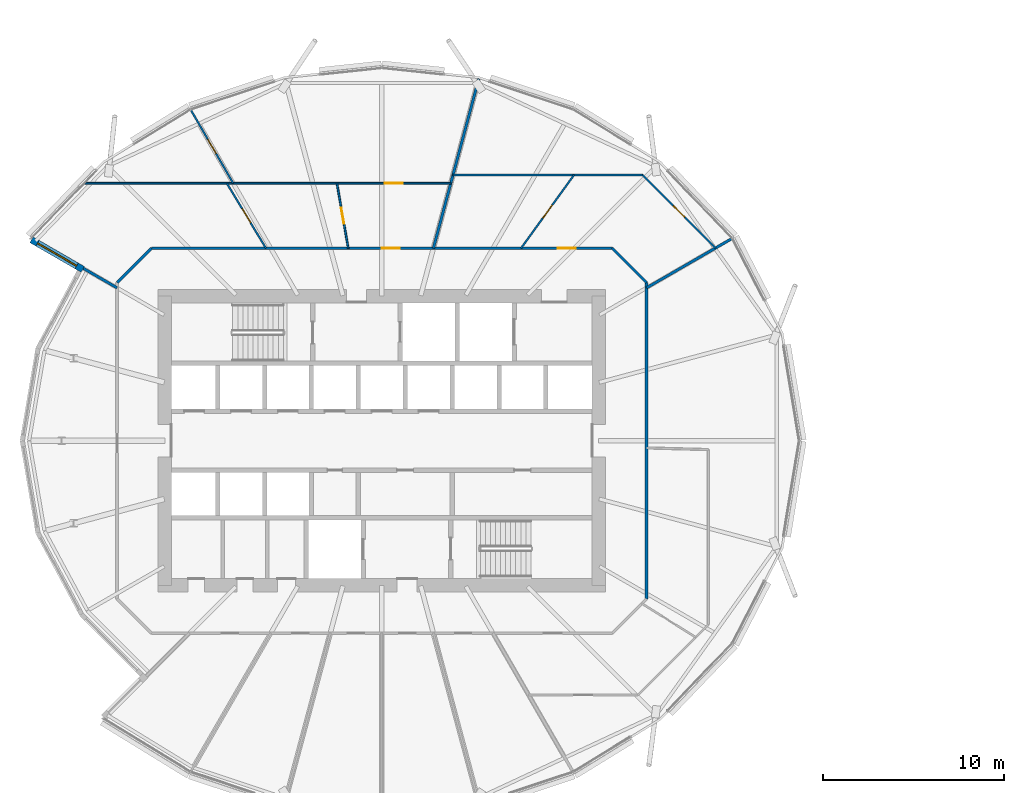
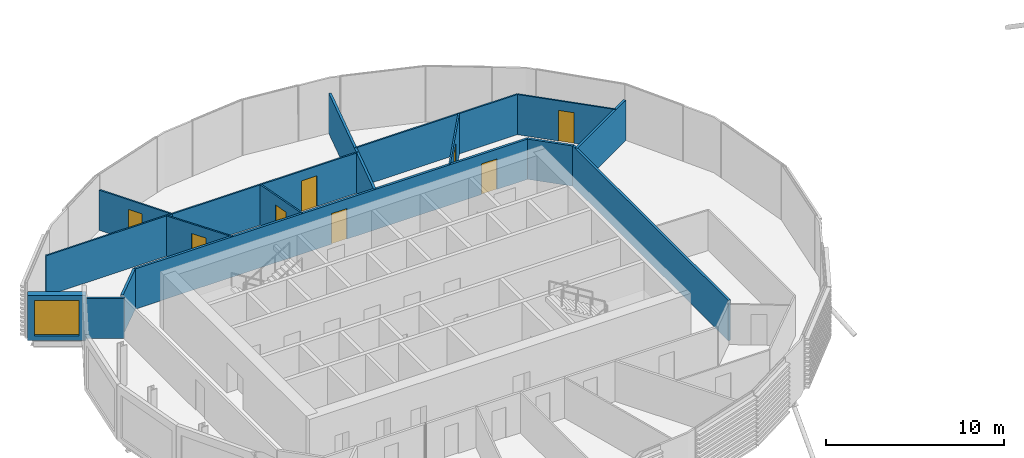
# One storey, part 22 of 38: 16 walls, 8 doors, 1 window, 9 openings.
"""IFC4 building model written with IfcOpenShell, lengths in metres."""

from ifc_helpers import new_model, si_unit, direction, frame, frame_2d, origin, place, context, subcontext, project, spatial, rectangle, extrude, material, layer, layer_set, type_object, element, fill, save


model = new_model("IFC4")

# Units and contexts
model_context = context("Model", 3, precision=1e-05, world=origin(), true_north=direction((0.0, 1.0)))
body_context = subcontext(model_context, "Body", "Model", "MODEL_VIEW")
ifc_project = project(units=[si_unit("LENGTHUNIT", "METRE"), si_unit("AREAUNIT", "SQUARE_METRE"), si_unit("VOLUMEUNIT", "CUBIC_METRE"), si_unit("PLANEANGLEUNIT", "RADIAN"), si_unit("MASSUNIT", "GRAM", prefix="KILO")], contexts=[model_context])

# Site, building, storey
site_placement = place(None, origin())
site = spatial("IfcSite", under=ifc_project, at=site_placement, CompositionType="ELEMENT")
building_placement = place(site_placement, origin())
building = spatial("IfcBuilding", under=site, at=building_placement, Name="Rimbun Link Towers", CompositionType="ELEMENT")
storey_placement = place(building_placement, frame((0.0, 0.0, 123.39990234375)))
storey = spatial("IfcBuildingStorey", under=building, at=storey_placement, Name="L30", CompositionType="ELEMENT", Elevation=123.39990234375)

# Wall, opening, window
ifc_material_1 = material(Name="Dark enamelled glass spandrel on insulated aluminium backpan", Category="aluminium")
ifc_layer_1 = layer(ifc_material_1, 0.3701171875)
ifc_layer_set_1 = layer_set([ifc_layer_1], Name="CS dark enamelled spandrel wall 370")
wall_type_1 = type_object("IfcWallType", Name="CS dark enamelled spandrel wall 370", PredefinedType="STANDARD", material=ifc_layer_set_1)
wall_1_placement = place(storey_placement, frame((-48.298095703125, 9.47900390625, 0.0), z_axis=(0.0, 0.0, 1.0), x_axis=(-0.866040564224, 0.499973740429, 0.0)))
wall_1 = element("IfcWall", 1, at=wall_1_placement, inside=storey, type_object=wall_type_1, Name="Crease spandrel wall", PredefinedType="STANDARD", context=body_context, shape_type="SweptSolid", body=[
    extrude(rectangle(XDim=3.280029296875, YDim=0.3701171875, at=frame_2d((1.64013671875, 0.0))), origin(), (0.0, 0.0, 1.0), 3.0771484375),
])
opening_1_placement = place(wall_1_placement, frame((0.389892578125, 0.0, 0.300048828125)))
opening_1 = element("IfcOpeningElement", 2, at=opening_1_placement, cuts=wall_1, Name="Opening WR25H245", PredefinedType="OPENING", context=body_context, shape_type="SweptSolid", body=[
    extrude(rectangle(XDim=2.5, YDim=2.449951171875, at=frame_2d((1.25, 1.22509765625))), frame((0.0, 0.195068359375, 0.0), z_axis=(0.0, -1.0, 0.0), x_axis=(1.0, 0.0, 0.0)), (0.0, 0.0, 1.0), 0.39013671875),
])
ifc_material_2 = material(Name="Aluminium framed fixed window, dark tinted low-e glass", Category="aluminium")
window_type = type_object("IfcWindowType", Name="WR ribbon window 2500X2450", PartitioningType="SINGLE_PANEL", PredefinedType="WINDOW", material=ifc_material_2)
window_placement = place(opening_1_placement, origin())
window = element("IfcWindow", 3, at=window_placement, inside=storey, type_object=window_type, Name="Crease ribbon window", OverallHeight=2.449951171875, OverallWidth=2.5, PartitioningType="SINGLE_PANEL", PredefinedType="WINDOW", context=body_context, shape_type="SweptSolid", body=[
    extrude(rectangle(XDim=2.5, YDim=2.449951171875, at=frame_2d((1.25, 1.22509765625))), frame((0.0, 0.030029296875, 0.0), z_axis=(0.0, -1.0, 0.0), x_axis=(1.0, 0.0, 0.0)), (0.0, 0.0, 1.0), 0.06005859375),
])
fill(opening_1, window)

# Wall, openings, doors
ifc_material_3 = material(Name="Plasterboard on steel stud, mineral wool", Category="steel")
ifc_layer_2 = layer(ifc_material_3, 0.14990234375)
ifc_layer_set_2 = layer_set([ifc_layer_2], Name="Corridor wall EI 30 150 mm")
wall_type_2 = type_object("IfcWallType", Name="Corridor wall EI 30 150 mm", PredefinedType="PARTITIONING", material=ifc_layer_set_2)
wall_2_placement = place(storey_placement, frame((-44.501708984375, 10.64990234375, 0.0), z_axis=(0.0, 0.0, 1.0), x_axis=(1.0, 0.0, 0.0)))
wall_2 = element("IfcWall", 4, at=wall_2_placement, inside=storey, type_object=wall_type_2, Name="Corridor wall EI 30 150 mm", PredefinedType="PARTITIONING", context=body_context, shape_type="SweptSolid", body=[
    extrude(rectangle(XDim=25.50341796875, YDim=0.14990234375, at=frame_2d((12.751708984375, 0.0))), origin(), (0.0, 0.0, 1.0), 2.759033203125),
])
opening_2_placement = place(wall_2_placement, frame((22.479248046875, 0.0, 0.0)))
opening_2 = element("IfcOpeningElement", 5, at=opening_2_placement, cuts=wall_2, Name="Opening D01", PredefinedType="OPENING", context=body_context, shape_type="SweptSolid", body=[
    extrude(rectangle(XDim=1.0, YDim=2.10009765625, at=frame_2d((0.5, 1.050048828125))), frame((0.0, 0.0849609375, 0.0), z_axis=(0.0, -1.0, 0.0), x_axis=(1.0, 0.0, 0.0)), (0.0, 0.0, 1.0), 0.169921875),
])
opening_3_placement = place(wall_2_placement, frame((12.750244140625, 0.0, 0.0)))
opening_3 = element("IfcOpeningElement", 6, at=opening_3_placement, cuts=wall_2, Name="Opening D01", PredefinedType="OPENING", context=body_context, shape_type="SweptSolid", body=[
    extrude(rectangle(XDim=1.0, YDim=2.10009765625, at=frame_2d((0.5, 1.050048828125))), frame((0.0, 0.0849609375, 0.0), z_axis=(0.0, -1.0, 0.0), x_axis=(1.0, 0.0, 0.0)), (0.0, 0.0, 1.0), 0.169921875),
])
ifc_material_4 = material(Name="Fire-resisting timber door leaf", Category="wood")
door_type_1 = type_object("IfcDoorType", Name="Fire door FD30S 1000", OperationType="NOTDEFINED", PredefinedType="DOOR", material=ifc_material_4)
door_1_placement = place(opening_2_placement, origin())
door_1 = element("IfcDoor", 7, at=door_1_placement, inside=storey, type_object=door_type_1, Name="Fire door FD30S 1000 to Reception", OperationType="SINGLE_SWING_LEFT", OverallHeight=2.10009765625, OverallWidth=1.0, PredefinedType="DOOR", context=body_context, shape_type="SweptSolid", body=[
    extrude(rectangle(XDim=1.0, YDim=2.10009765625, at=frame_2d((0.5, 1.050048828125))), frame((0.0, 0.02490234375, 0.0), z_axis=(0.0, -1.0, 0.0), x_axis=(1.0, 0.0, 0.0)), (0.0, 0.0, 1.0), 0.050048828125),
])
fill(opening_2, door_1)
door_2_placement = place(opening_3_placement, origin())
door_2 = element("IfcDoor", 8, at=door_2_placement, inside=storey, type_object=door_type_1, Name="Fire door FD30S 1000 to Reception", OperationType="SINGLE_SWING_RIGHT", OverallHeight=2.10009765625, OverallWidth=1.0, PredefinedType="DOOR", context=body_context, shape_type="SweptSolid", body=[
    extrude(rectangle(XDim=1.0, YDim=2.10009765625, at=frame_2d((0.5, 1.050048828125))), frame((0.0, 0.02490234375, 0.0), z_axis=(0.0, -1.0, 0.0), x_axis=(1.0, 0.0, 0.0)), (0.0, 0.0, 1.0), 0.050048828125),
])
fill(opening_3, door_2)

# Walls
wall_3_placement = place(storey_placement, frame((-17.10009765625, 8.751708984375, 0.0), z_axis=(0.0, 0.0, 1.0), x_axis=(-0.707106781187, 0.707106781187, 0.0)))
element("IfcWall", 9, at=wall_3_placement, inside=storey, type_object=wall_type_2, Name="Corridor wall EI 30 150 mm", PredefinedType="PARTITIONING", context=body_context, shape_type="SweptSolid", body=[
    extrude(rectangle(XDim=2.6845703125, YDim=0.14990234375, at=frame_2d((1.34228515625, 0.0))), origin(), (0.0, 0.0, 1.0), 2.759033203125),
])
wall_4_placement = place(storey_placement, frame((-17.10009765625, -8.751708984375, 0.0), z_axis=(0.0, 0.0, 1.0), x_axis=(0.0, 1.0, 0.0)))
element("IfcWall", 10, at=wall_4_placement, inside=storey, type_object=wall_type_2, Name="Corridor wall EI 30 150 mm", PredefinedType="PARTITIONING", context=body_context, shape_type="SweptSolid", body=[
    extrude(rectangle(XDim=17.50341796875, YDim=0.14990234375, at=frame_2d((8.751708984375, 0.0))), origin(), (0.0, 0.0, 1.0), 2.759033203125),
])
wall_5_placement = place(storey_placement, frame((-44.501708984375, 10.64990234375, 0.0), z_axis=(0.0, 0.0, 1.0), x_axis=(-0.707106781187, -0.707106781187, 0.0)))
element("IfcWall", 11, at=wall_5_placement, inside=storey, type_object=wall_type_2, Name="Corridor wall EI 30 150 mm", PredefinedType="PARTITIONING", context=body_context, shape_type="SweptSolid", body=[
    extrude(rectangle(XDim=2.6845703125, YDim=0.14990234375, at=frame_2d((1.34228515625, 0.0))), origin(), (0.0, 0.0, 1.0), 2.759033203125),
])

# Wall, opening, door
ifc_material_5 = material(Name="Plasterboard on steel stud", Category="steel")
ifc_layer_3 = layer(ifc_material_5, 0.10009765625)
ifc_layer_set_3 = layer_set([ifc_layer_3], Name="Plasterboard partition 100 mm")
wall_type_3 = type_object("IfcWallType", Name="Plasterboard partition 100 mm", PredefinedType="PARTITIONING", material=ifc_layer_set_3)
wall_6_placement = place(storey_placement, frame((-24.04638671875, 10.64990234375, 0.0), z_axis=(0.0, 0.0, 1.0), x_axis=(0.586069984191, 0.810260435681, 0.0)))
wall_6 = element("IfcWall", 12, at=wall_6_placement, inside=storey, type_object=wall_type_3, Name="Plasterboard partition 100 mm", PredefinedType="PARTITIONING", context=body_context, shape_type="SweptSolid", body=[
    extrude(rectangle(XDim=4.99853515625, YDim=0.10009765625, at=frame_2d((2.499267578125, 0.0))), origin(), (0.0, 0.0, 1.0), 2.759033203125),
])
opening_4_placement = place(wall_6_placement, frame((2.04931640625, 0.0, 0.0)))
opening_4 = element("IfcOpeningElement", 13, at=opening_4_placement, cuts=wall_6, Name="Opening D04", PredefinedType="OPENING", context=body_context, shape_type="SweptSolid", body=[
    extrude(rectangle(XDim=0.89990234375, YDim=2.10009765625, at=frame_2d((0.449951171875, 1.050048828125))), frame((0.0, 0.06005859375, 0.0), z_axis=(0.0, -1.0, 0.0), x_axis=(1.0, 0.0, 0.0)), (0.0, 0.0, 1.0), 0.1201171875),
])
ifc_material_6 = material(Name="Timber door leaf", Category="wood")
door_type_2 = type_object("IfcDoorType", Name="Flush door 900", OperationType="NOTDEFINED", PredefinedType="DOOR", material=ifc_material_6)
door_3_placement = place(opening_4_placement, origin())
door_3 = element("IfcDoor", 14, at=door_3_placement, inside=storey, type_object=door_type_2, Name="Flush door 900 to Pantry", OperationType="SINGLE_SWING_RIGHT", OverallHeight=2.10009765625, OverallWidth=0.89990234375, PredefinedType="DOOR", context=body_context, shape_type="SweptSolid", body=[
    extrude(rectangle(XDim=0.89990234375, YDim=2.10009765625, at=frame_2d((0.449951171875, 1.050048828125))), frame((0.0, 0.02490234375, 0.0), z_axis=(0.0, -1.0, 0.0), x_axis=(1.0, 0.0, 0.0)), (0.0, 0.0, 1.0), 0.050048828125),
])
fill(opening_4, door_3)

wall_7_placement = place(storey_placement, frame((-17.32080078125, 14.699951171875, 0.0), z_axis=(0.0, 0.0, 1.0), x_axis=(0.707128157168, -0.707085404559, 0.0)))
wall_7 = element("IfcWall", 15, at=wall_7_placement, inside=storey, type_object=wall_type_3, Name="Plasterboard partition 100 mm", PredefinedType="PARTITIONING", context=body_context, shape_type="SweptSolid", body=[
    extrude(rectangle(XDim=5.71044921875, YDim=0.10009765625, at=frame_2d((2.855224609375, 0.0))), origin(), (0.0, 0.0, 1.0), 2.759033203125),
])
opening_5_placement = place(wall_7_placement, frame((2.4052734375, 0.0, 0.0)))
opening_5 = element("IfcOpeningElement", 16, at=opening_5_placement, cuts=wall_7, Name="Opening D04", PredefinedType="OPENING", context=body_context, shape_type="SweptSolid", body=[
    extrude(rectangle(XDim=0.89990234375, YDim=2.10009765625, at=frame_2d((0.449951171875, 1.050048828125))), frame((0.0, 0.06005859375, 0.0), z_axis=(0.0, -1.0, 0.0), x_axis=(1.0, 0.0, 0.0)), (0.0, 0.0, 1.0), 0.1201171875),
])
door_4_placement = place(opening_5_placement, origin())
door_4 = element("IfcDoor", 17, at=door_4_placement, inside=storey, type_object=door_type_2, Name="Flush door 900 to Meeting room", OperationType="SINGLE_SWING_LEFT", OverallHeight=2.10009765625, OverallWidth=0.89990234375, PredefinedType="DOOR", context=body_context, shape_type="SweptSolid", body=[
    extrude(rectangle(XDim=0.89990234375, YDim=2.10009765625, at=frame_2d((0.449951171875, 1.050048828125))), frame((0.0, 0.02490234375, 0.0), z_axis=(0.0, -1.0, 0.0), x_axis=(1.0, 0.0, 0.0)), (0.0, 0.0, 1.0), 0.050048828125),
])
fill(opening_5, door_4)

# Wall
wall_8_placement = place(storey_placement, frame((-17.32080078125, 14.699951171875, 0.0), z_axis=(0.0, 0.0, 1.0), x_axis=(-1.0, 0.0, 0.0)))
element("IfcWall", 18, at=wall_8_placement, inside=storey, type_object=wall_type_3, Name="Plasterboard partition 100 mm", PredefinedType="PARTITIONING", context=body_context, shape_type="SweptSolid", body=[
    extrude(rectangle(XDim=10.490478515625, YDim=0.10009765625, at=frame_2d((5.2451171875, 0.0))), origin(), (0.0, 0.0, 1.0), 2.759033203125),
])

# Wall, opening, door
wall_9_placement = place(storey_placement, frame((-33.606689453125, 10.64990234375, 0.0), z_axis=(0.0, 0.0, 1.0), x_axis=(-0.171696410246, 0.985149908749, 0.0)))
wall_9 = element("IfcWall", 19, at=wall_9_placement, inside=storey, type_object=wall_type_3, Name="Plasterboard partition 100 mm", PredefinedType="PARTITIONING", context=body_context, shape_type="SweptSolid", body=[
    extrude(rectangle(XDim=3.654296875, YDim=0.10009765625, at=frame_2d((1.8271484375, 0.0))), origin(), (0.0, 0.0, 1.0), 2.759033203125),
])
opening_6_placement = place(wall_9_placement, frame((1.377197265625, 0.0, 0.0)))
opening_6 = element("IfcOpeningElement", 20, at=opening_6_placement, cuts=wall_9, Name="Opening D04", PredefinedType="OPENING", context=body_context, shape_type="SweptSolid", body=[
    extrude(rectangle(XDim=0.89990234375, YDim=2.10009765625, at=frame_2d((0.449951171875, 1.050048828125))), frame((0.0, 0.06005859375, 0.0), z_axis=(0.0, -1.0, 0.0), x_axis=(1.0, 0.0, 0.0)), (0.0, 0.0, 1.0), 0.1201171875),
])
door_5_placement = place(opening_6_placement, origin())
door_5 = element("IfcDoor", 21, at=door_5_placement, inside=storey, type_object=door_type_2, Name="Flush door 900 to Meeting room", OperationType="SINGLE_SWING_RIGHT", OverallHeight=2.10009765625, OverallWidth=0.89990234375, PredefinedType="DOOR", context=body_context, shape_type="SweptSolid", body=[
    extrude(rectangle(XDim=0.89990234375, YDim=2.10009765625, at=frame_2d((0.449951171875, 1.050048828125))), frame((0.0, 0.02490234375, 0.0), z_axis=(0.0, -1.0, 0.0), x_axis=(1.0, 0.0, 0.0)), (0.0, 0.0, 1.0), 0.050048828125),
])
fill(opening_6, door_5)

wall_10_placement = place(storey_placement, frame((-39.977294921875, 14.25, 0.0), z_axis=(0.0, 0.0, 1.0), x_axis=(1.0, 0.0, 0.0)))
wall_10 = element("IfcWall", 22, at=wall_10_placement, inside=storey, type_object=wall_type_3, Name="Plasterboard partition 100 mm", PredefinedType="PARTITIONING", context=body_context, shape_type="SweptSolid", body=[
    extrude(rectangle(XDim=12.045654296875, YDim=0.10009765625, at=frame_2d((6.02294921875, 0.0))), origin(), (0.0, 0.0, 1.0), 2.759033203125),
])
opening_7_placement = place(wall_10_placement, frame((8.37939453125, 0.0, 0.0)))
opening_7 = element("IfcOpeningElement", 23, at=opening_7_placement, cuts=wall_10, Name="Opening D03", PredefinedType="OPENING", context=body_context, shape_type="SweptSolid", body=[
    extrude(rectangle(XDim=1.0, YDim=2.10009765625, at=frame_2d((0.5, 1.050048828125))), frame((0.0, 0.06005859375, 0.0), z_axis=(0.0, -1.0, 0.0), x_axis=(1.0, 0.0, 0.0)), (0.0, 0.0, 1.0), 0.1201171875),
])
ifc_material_7 = material(Name="Timber door leaf", Category="wood")
door_type_3 = type_object("IfcDoorType", Name="Flush door 1000", OperationType="NOTDEFINED", PredefinedType="DOOR", material=ifc_material_7)
door_6_placement = place(opening_7_placement, origin())
door_6 = element("IfcDoor", 24, at=door_6_placement, inside=storey, type_object=door_type_3, Name="Flush door 1000 to Co-working space", OperationType="SINGLE_SWING_LEFT", OverallHeight=2.10009765625, OverallWidth=1.0, PredefinedType="DOOR", context=body_context, shape_type="SweptSolid", body=[
    extrude(rectangle(XDim=1.0, YDim=2.10009765625, at=frame_2d((0.5, 1.050048828125))), frame((0.0, 0.02490234375, 0.0), z_axis=(0.0, -1.0, 0.0), x_axis=(1.0, 0.0, 0.0)), (0.0, 0.0, 1.0), 0.050048828125),
])
fill(opening_7, door_6)

wall_11_placement = place(storey_placement, frame((-38.1630859375, 10.64990234375, 0.0), z_axis=(0.0, 0.0, 1.0), x_axis=(-0.515836465497, 0.856687072894, 0.0)))
wall_11 = element("IfcWall", 25, at=wall_11_placement, inside=storey, type_object=wall_type_3, Name="Plasterboard partition 100 mm", PredefinedType="PARTITIONING", context=body_context, shape_type="SweptSolid", body=[
    extrude(rectangle(XDim=4.202392578125, YDim=0.10009765625, at=frame_2d((2.10107421875, 0.0))), origin(), (0.0, 0.0, 1.0), 2.759033203125),
])
opening_8_placement = place(wall_11_placement, frame((1.651123046875, 0.0, 0.0)))
opening_8 = element("IfcOpeningElement", 26, at=opening_8_placement, cuts=wall_11, Name="Opening D04", PredefinedType="OPENING", context=body_context, shape_type="SweptSolid", body=[
    extrude(rectangle(XDim=0.89990234375, YDim=2.10009765625, at=frame_2d((0.449951171875, 1.050048828125))), frame((0.0, 0.06005859375, 0.0), z_axis=(0.0, -1.0, 0.0), x_axis=(1.0, 0.0, 0.0)), (0.0, 0.0, 1.0), 0.1201171875),
])
door_7_placement = place(opening_8_placement, origin())
door_7 = element("IfcDoor", 27, at=door_7_placement, inside=storey, type_object=door_type_2, Name="Flush door 900 to Pantry", OperationType="SINGLE_SWING_LEFT", OverallHeight=2.10009765625, OverallWidth=0.89990234375, PredefinedType="DOOR", context=body_context, shape_type="SweptSolid", body=[
    extrude(rectangle(XDim=0.89990234375, YDim=2.10009765625, at=frame_2d((0.449951171875, 1.050048828125))), frame((0.0, 0.02490234375, 0.0), z_axis=(0.0, -1.0, 0.0), x_axis=(1.0, 0.0, 0.0)), (0.0, 0.0, 1.0), 0.050048828125),
])
fill(opening_8, door_7)

# Wall
wall_12_placement = place(storey_placement, frame((-39.977294921875, 14.25, 0.0), z_axis=(0.0, 0.0, 1.0), x_axis=(-1.0, 0.0, 0.0)))
element("IfcWall", 28, at=wall_12_placement, inside=storey, type_object=wall_type_3, Name="Plasterboard partition 100 mm", PredefinedType="PARTITIONING", context=body_context, shape_type="SweptSolid", body=[
    extrude(rectangle(XDim=8.2080078125, YDim=0.10009765625, at=frame_2d((4.10400390625, 0.0))), origin(), (0.0, 0.0, 1.0), 2.759033203125),
])

# Wall, opening, door
wall_13_placement = place(storey_placement, frame((-39.977294921875, 14.25, 0.0), z_axis=(0.0, 0.0, 1.0), x_axis=(-0.499992958048, 0.866029469419, 0.0)))
wall_13 = element("IfcWall", 29, at=wall_13_placement, inside=storey, type_object=wall_type_3, Name="Plasterboard partition 100 mm", PredefinedType="PARTITIONING", context=body_context, shape_type="SweptSolid", body=[
    extrude(rectangle(XDim=4.6875, YDim=0.10009765625, at=frame_2d((2.34375, 0.0))), origin(), (0.0, 0.0, 1.0), 2.759033203125),
])
opening_9_placement = place(wall_13_placement, frame((1.893798828125, 0.0, 0.0)))
opening_9 = element("IfcOpeningElement", 30, at=opening_9_placement, cuts=wall_13, Name="Opening D04", PredefinedType="OPENING", context=body_context, shape_type="SweptSolid", body=[
    extrude(rectangle(XDim=0.89990234375, YDim=2.10009765625, at=frame_2d((0.449951171875, 1.050048828125))), frame((0.0, 0.06005859375, 0.0), z_axis=(0.0, -1.0, 0.0), x_axis=(1.0, 0.0, 0.0)), (0.0, 0.0, 1.0), 0.1201171875),
])
door_8_placement = place(opening_9_placement, origin())
door_8 = element("IfcDoor", 31, at=door_8_placement, inside=storey, type_object=door_type_2, Name="Flush door 900 to Serviced office", OperationType="SINGLE_SWING_RIGHT", OverallHeight=2.10009765625, OverallWidth=0.89990234375, PredefinedType="DOOR", context=body_context, shape_type="SweptSolid", body=[
    extrude(rectangle(XDim=0.89990234375, YDim=2.10009765625, at=frame_2d((0.449951171875, 1.050048828125))), frame((0.0, 0.02490234375, 0.0), z_axis=(0.0, -1.0, 0.0), x_axis=(1.0, 0.0, 0.0)), (0.0, 0.0, 1.0), 0.050048828125),
])
fill(opening_9, door_8)

# Walls
ifc_material_8 = material(Name="Plasterboard on steel stud, mineral wool", Category="steel")
ifc_layer_4 = layer(ifc_material_8, 0.14990234375)
ifc_layer_set_4 = layer_set([ifc_layer_4], Name="Tenancy separation wall EI 60 150 mm")
wall_type_4 = type_object("IfcWallType", Name="Tenancy separation wall EI 60 150 mm", PredefinedType="PARTITIONING", material=ifc_layer_set_4)
wall_14_placement = place(storey_placement, frame((-17.10009765625, 8.458251953125, 0.0), z_axis=(0.0, 0.0, 1.0), x_axis=(0.866036509673, 0.499980763544, 0.0)))
element("IfcWall", 32, at=wall_14_placement, inside=storey, type_object=wall_type_4, Name="Tenancy separation wall EI 60 150 mm", PredefinedType="PARTITIONING", context=body_context, shape_type="SweptSolid", body=[
    extrude(rectangle(XDim=5.454345703125, YDim=0.14990234375, at=frame_2d((2.72705078125, 0.0))), origin(), (0.0, 0.0, 1.0), 2.759033203125),
])
wall_15_placement = place(storey_placement, frame((-28.896240234375, 10.64990234375, 0.0), z_axis=(0.0, 0.0, 1.0), x_axis=(0.258798055813, 0.965931450108, 0.0)))
element("IfcWall", 33, at=wall_15_placement, inside=storey, type_object=wall_type_4, Name="Tenancy separation wall EI 60 150 mm", PredefinedType="PARTITIONING", context=body_context, shape_type="SweptSolid", body=[
    extrude(rectangle(XDim=9.71484375, YDim=0.14990234375, at=frame_2d((4.857421875, 0.0))), origin(), (0.0, 0.0, 1.0), 2.759033203125),
])
wall_16_placement = place(storey_placement, frame((-46.39990234375, 8.458251953125, 0.0), z_axis=(0.0, 0.0, 1.0), x_axis=(-0.866030838723, 0.499990586292, 0.0)))
element("IfcWall", 34, at=wall_16_placement, inside=storey, type_object=wall_type_4, Name="Tenancy separation wall EI 60 150 mm", PredefinedType="PARTITIONING", context=body_context, shape_type="SweptSolid", body=[
    extrude(rectangle(XDim=2.154296875, YDim=0.14990234375, at=frame_2d((1.0771484375, 0.0))), origin(), (0.0, 0.0, 1.0), 2.759033203125),
])

save(model, "model.ifc")
